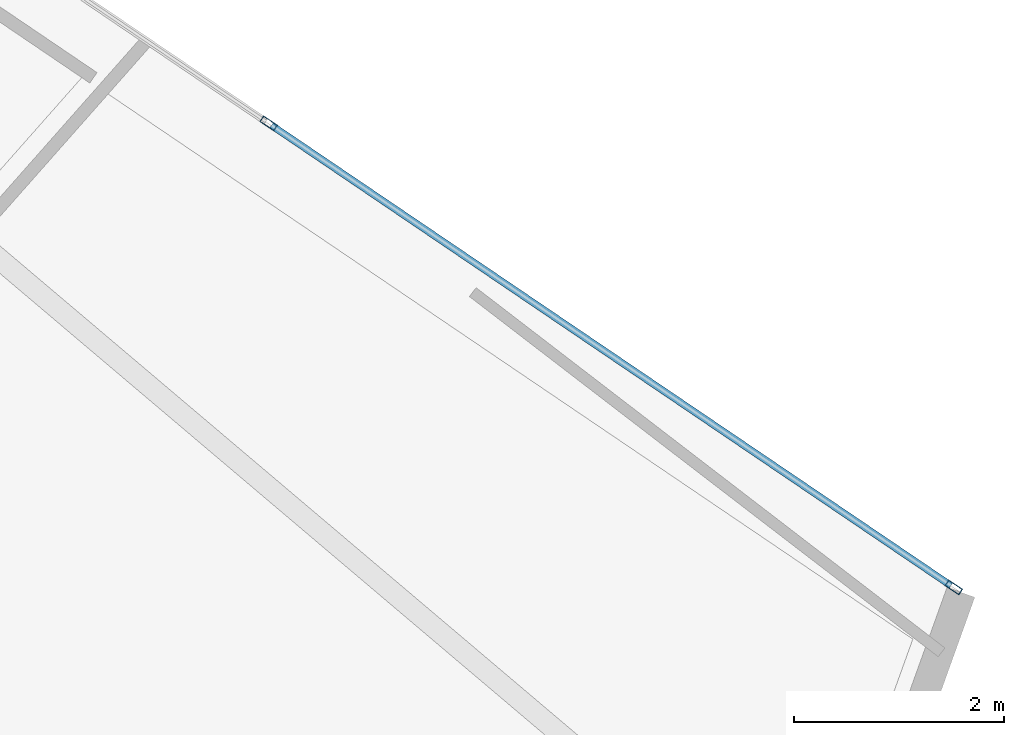
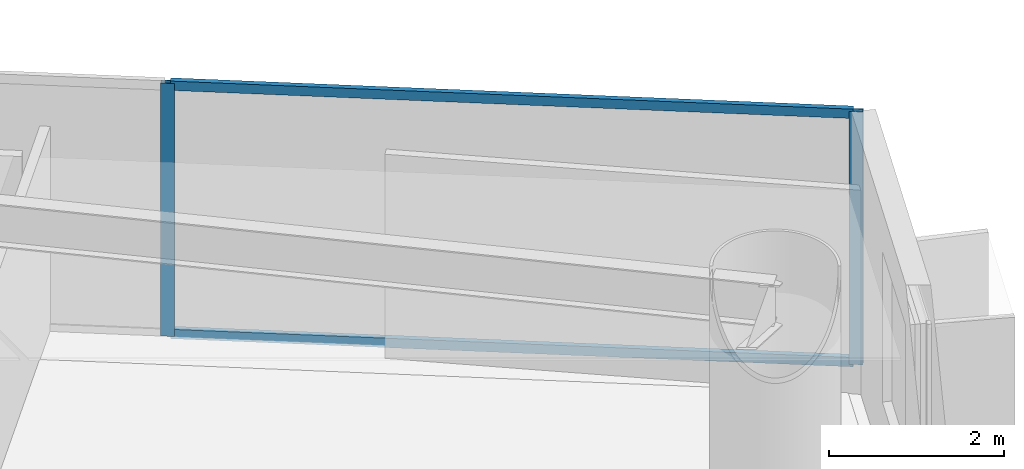
# One storey, part 13 of 21: 4 members, 1 element without a shape of its own.
"""IFC4 building model written with IfcOpenShell, lengths in metres."""

from ifc_helpers import new_model, si_unit, direction, frame, origin, origin_2d, place, context, subcontext, project, spatial, hollow_rectangle, extrude, material, layer, layer_set, material_profile, profile_set, type_object, element, aggregate, save


model = new_model("IFC4")

# Units and contexts
model_context = context("Model", 3, precision=1e-05, world=origin(), true_north=direction((0.0, 1.0)))
body_context = subcontext(model_context, "Body", "Model", "MODEL_VIEW")
ifc_project = project(units=[si_unit("LENGTHUNIT", "METRE"), si_unit("AREAUNIT", "SQUARE_METRE"), si_unit("VOLUMEUNIT", "CUBIC_METRE"), si_unit("PLANEANGLEUNIT", "RADIAN"), si_unit("MASSUNIT", "GRAM", prefix="KILO")], contexts=[model_context])

# Site, building, storey
site_placement = place(None, origin())
site = spatial("IfcSite", under=ifc_project, at=site_placement, CompositionType="ELEMENT")
building_placement = place(site_placement, origin())
building = spatial("IfcBuilding", under=site, at=building_placement, Name="Qianvela Tower", CompositionType="ELEMENT")
storey_placement = place(building_placement, frame((0.0, 0.0, 105.199951171875)))
storey = spatial("IfcBuildingStorey", under=building, at=storey_placement, Name="L26", CompositionType="ELEMENT", Elevation=105.199951171875)

# Curtain wall, members
ifc_material_1 = material(Name="Anodised Architectural Aluminium and Low-E Glass", Category="aluminium")
ifc_layer = layer(ifc_material_1, 0.169921875)
ifc_layer_set = layer_set([ifc_layer], Name="Anodised Architectural Aluminium and Low-E Glass")
curtain_wall_type = type_object("IfcCurtainWallType", Name="CW-COLIV-Z34", PredefinedType="USERDEFINED", material=ifc_layer_set)
curtain_wall_placement = place(storey_placement, origin())
curtain_wall = element("IfcCurtainWall", 1, at=curtain_wall_placement, inside=storey, type_object=curtain_wall_type, Name="L26 CW-COLIV-Z34 Curtain Wall 02A", ObjectType="CURTAIN_WALL_SYSTEM", PredefinedType="USERDEFINED")
ifc_material_2 = material(Name="Anodised Architectural Aluminium 6063-T6", Category="aluminium")
ifc_material_profile_1 = material_profile(ifc_material_2, hollow_rectangle(XDim=0.06494140625, YDim=0.159912109375, WallThickness=0.0048828125, at=origin_2d()), Name="ALU-MULL-65x160")
ifc_profile_set_1 = profile_set([ifc_material_profile_1], Name="Anodised Architectural Aluminium 6063-T6")
member_type_1 = type_object("IfcMemberType", Name="CW-COLIV-Z34-MULL", PredefinedType="MULLION", material=ifc_profile_set_1)
member_1_placement = place(storey_placement, frame((59.6787109375, 26.416748046875, 0.0), z_axis=(0.0, 0.0, 1.0), x_axis=(-0.560826733524, -0.827933194748, 0.0)))
member_1 = element("IfcMember", 2, at=member_1_placement, type_object=member_type_1, Name="CW-4 mullion 1", PredefinedType="MULLION", context=body_context, shape_type="SweptSolid", body=[
    extrude(hollow_rectangle(XDim=0.06494140625, YDim=0.159912109375, WallThickness=0.0048828125, at=origin_2d()), origin(), (0.0, 0.0, 1.0), 3.52001953125),
])
member_2_placement = place(storey_placement, frame((53.1650390625, 30.828857421875, 0.0), z_axis=(0.0, 0.0, 1.0), x_axis=(-0.560826733524, -0.827933194748, 0.0)))
member_2 = element("IfcMember", 3, at=member_2_placement, type_object=member_type_1, Name="CW-4 mullion 2", PredefinedType="MULLION", context=body_context, shape_type="SweptSolid", body=[
    extrude(hollow_rectangle(XDim=0.06494140625, YDim=0.159912109375, WallThickness=0.0048828125, at=origin_2d()), origin(), (0.0, 0.0, 1.0), 3.52001953125),
])
ifc_material_3 = material(Name="Anodised Architectural Aluminium 6063-T6", Category="aluminium")
ifc_material_profile_2 = material_profile(ifc_material_3, hollow_rectangle(XDim=0.06494140625, YDim=0.1298828125, WallThickness=0.00439453125, at=origin_2d()), Name="ALU-TRAN-65x130")
ifc_profile_set_2 = profile_set([ifc_material_profile_2], Name="Anodised Architectural Aluminium 6063-T6")
member_type_2 = type_object("IfcMemberType", Name="CW-COLIV-Z34-TRAN", PredefinedType="USERDEFINED", material=ifc_profile_set_2)
member_3_placement = place(storey_placement, frame((59.65185546875, 26.434814453125, 0.032470703125), z_axis=(-0.827926189236, 0.56083707543, 0.0), x_axis=(-0.56083707543, -0.827926189236, 0.0)))
member_3 = element("IfcMember", 4, at=member_3_placement, type_object=member_type_2, Name="CW-4 transom 1.1", ObjectType="TRANSOM", PredefinedType="USERDEFINED", context=body_context, shape_type="SweptSolid", body=[
    extrude(hollow_rectangle(XDim=0.06494140625, YDim=0.1298828125, WallThickness=0.00439453125, at=origin_2d()), origin(), (0.0, 0.0, 1.0), 7.802490234375),
])
member_4_placement = place(storey_placement, frame((59.65185546875, 26.434814453125, 3.487548828125), z_axis=(-0.827926189236, 0.56083707543, 0.0), x_axis=(-0.56083707543, -0.827926189236, 0.0)))
member_4 = element("IfcMember", 5, at=member_4_placement, type_object=member_type_2, Name="CW-4 transom 1.2", ObjectType="TRANSOM", PredefinedType="USERDEFINED", context=body_context, shape_type="SweptSolid", body=[
    extrude(hollow_rectangle(XDim=0.06494140625, YDim=0.1298828125, WallThickness=0.00439453125, at=origin_2d()), origin(), (0.0, 0.0, 1.0), 7.802490234375),
])
aggregate(curtain_wall, [member_1, member_2, member_3, member_4])

save(model, "model.ifc")
